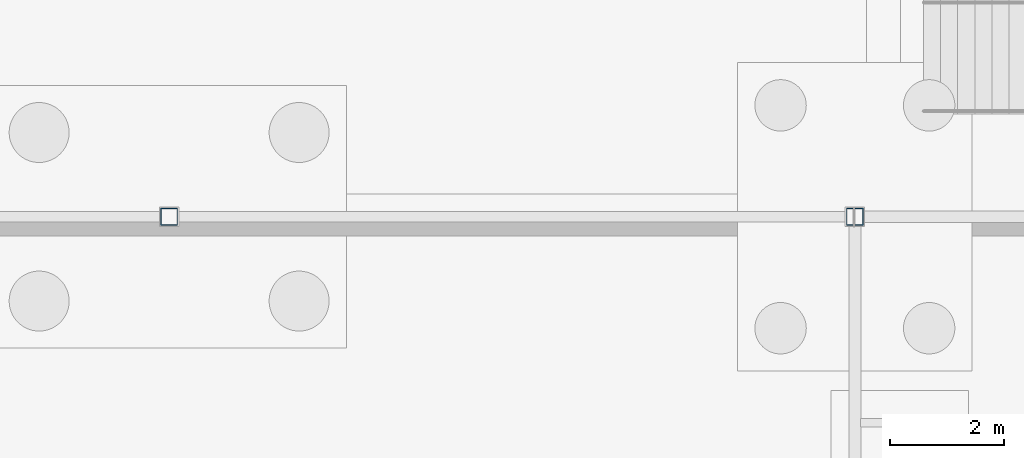
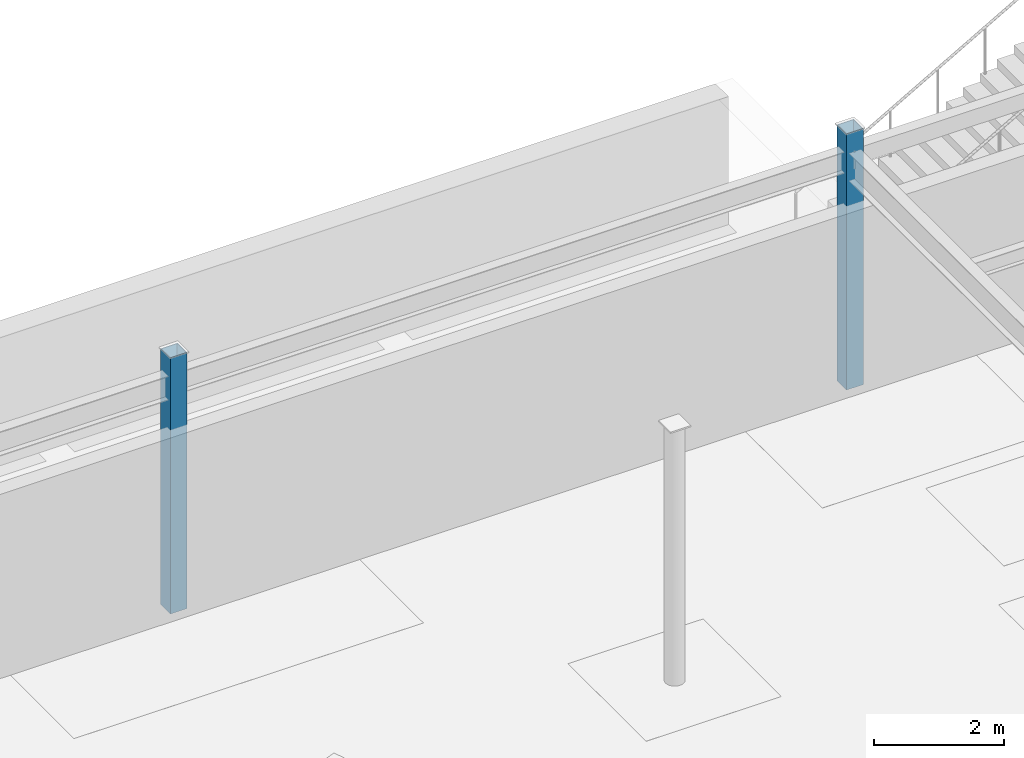
# One storey, part 72 of 136: 2 columns.
"""IFC4 building model written with IfcOpenShell, lengths in metres."""

from ifc_helpers import new_model, si_unit, direction, frame, origin, origin_2d, place, context, subcontext, project, spatial, hollow_rectangle, extrude, material, material_profile, profile_set, type_object, element, save


model = new_model("IFC4")

# Units and contexts
model_context = context("Model", 3, precision=1e-05, world=origin(), true_north=direction((0.0, 1.0)))
body_context = subcontext(model_context, "Body", "Model", "MODEL_VIEW")
ifc_project = project(units=[si_unit("LENGTHUNIT", "METRE"), si_unit("AREAUNIT", "SQUARE_METRE"), si_unit("VOLUMEUNIT", "CUBIC_METRE"), si_unit("PLANEANGLEUNIT", "RADIAN"), si_unit("MASSUNIT", "GRAM", prefix="KILO")], contexts=[model_context])

# Site, building, storey
site_placement = place(None, origin())
site = spatial("IfcSite", under=ifc_project, at=site_placement, CompositionType="ELEMENT")
building_placement = place(site_placement, origin())
building = spatial("IfcBuilding", under=site, at=building_placement, Name="Tarnwether General Hospital", CompositionType="ELEMENT")
storey_placement = place(building_placement, frame((0.0, 0.0, -4.800048828125)))
storey = spatial("IfcBuildingStorey", under=building, at=storey_placement, Name="LG", CompositionType="ELEMENT", Elevation=-4.800048828125)

# Columns
ifc_material = material(Name="Steel Grade C350L0 (350 MPa)", Category="steel")
ifc_material_profile = material_profile(ifc_material, hollow_rectangle(XDim=0.300048828125, YDim=0.300048828125, WallThickness=0.012451171875, at=origin_2d()), Name="SHS300x300x12.5")
ifc_profile_set = profile_set([ifc_material_profile], Name="Steel Grade C350L0 (350 MPa)")
column_type = type_object("IfcColumnType", Name="COL-30", PredefinedType="COLUMN", material=ifc_profile_set)
for number, where, z_axis, x_axis, name in (
    (1, (72.0, 126.0, 0.0), (0.0, 0.0, 1.0), (1.0, 0.0, 0.0), "Column COLG-LG-7200_12600"),
    (2, (84.0, 126.0, 0.0), (0.0, 0.0, 1.0), (0.0, 1.0, 0.0), "Column COLG-LG-8400_12600"),
):
    element("IfcColumn", number, at=place(storey_placement, frame(where, z_axis=z_axis, x_axis=x_axis)), inside=storey, type_object=column_type, Name=name, PredefinedType="COLUMN", context=body_context, shape_type="SweptSolid", body=[
        extrude(hollow_rectangle(XDim=0.300048828125, YDim=0.300048828125, WallThickness=0.012451171875, at=origin_2d()), origin(), (0.0, 0.0, 1.0), 4.800048828125),
    ])

save(model, "model.ifc")
